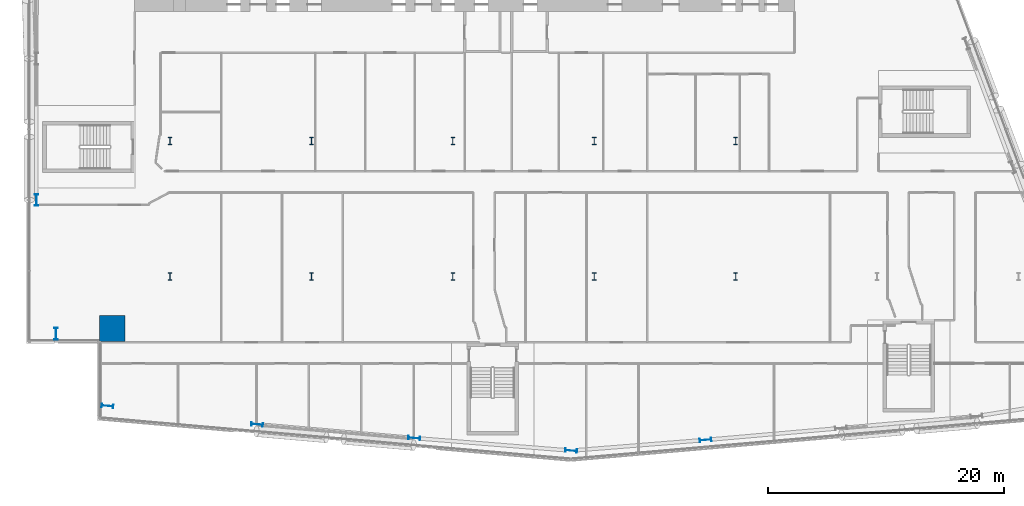
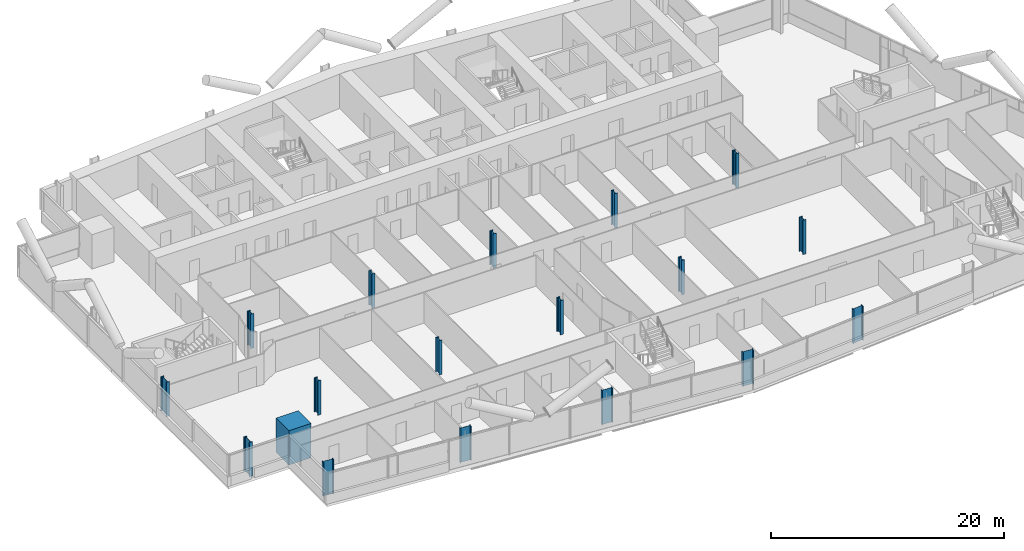
# One storey, part 1 of 27: 18 columns.
"""IFC4 building model written with IfcOpenShell, lengths in metres."""

from ifc_helpers import new_model, si_unit, direction, frame, origin, origin_2d, place, context, subcontext, project, spatial, rectangle, i_section, extrude, material, material_profile, profile_set, type_object, element, save


model = new_model("IFC4")

# Units and contexts
model_context = context("Model", 3, precision=1e-05, world=origin(), true_north=direction((0.0, 1.0)))
body_context = subcontext(model_context, "Body", "Model", "MODEL_VIEW")
ifc_project = project(units=[si_unit("LENGTHUNIT", "METRE"), si_unit("AREAUNIT", "SQUARE_METRE"), si_unit("VOLUMEUNIT", "CUBIC_METRE"), si_unit("PLANEANGLEUNIT", "RADIAN"), si_unit("MASSUNIT", "GRAM", prefix="KILO")], contexts=[model_context])

# Site, building, storey
site_placement = place(None, origin())
site = spatial("IfcSite", under=ifc_project, at=site_placement, CompositionType="ELEMENT")
building_placement = place(site_placement, origin())
building = spatial("IfcBuilding", under=site, at=building_placement, Name="Wharfspan Tower", CompositionType="ELEMENT")
storey_placement = place(building_placement, frame((0.0, 0.0, 55.899902)))
storey = spatial("IfcBuildingStorey", under=building, at=storey_placement, Name="L10", CompositionType="ELEMENT", Elevation=55.899902)

# Columns
ifc_material_1 = material(Name="Steel S355J2", Category="steel")
ifc_material_profile_1 = material_profile(ifc_material_1, i_section(OverallWidth=0.302002, OverallDepth=1.008057, WebThickness=0.020996, FlangeThickness=0.040039, FilletRadius=0.030029, at=origin_2d()))
ifc_profile_set_1 = profile_set([ifc_material_profile_1], Name="Steel S355J2")
column_type_1 = type_object("IfcColumnType", Name="Column HEM 1000", PredefinedType="COLUMN", material=ifc_profile_set_1)
for number, where, z_axis, x_axis, name in (
    (1, (6.694336, 0.528564, 0.0), (0.0, 0.0, 1.0), (-0.087156, -0.996198, 0.0), "Perimeter column PS1.1 L10"),
    (2, (19.390869, -1.033936, 0.0), (0.0, 0.0, 1.0), (-0.087156, -0.996198, 0.0), "Perimeter column PS1.2 L10"),
    (3, (32.724121, -2.200439, 0.0), (0.0, 0.0, 1.0), (-0.087156, -0.996198, 0.0), "Perimeter column PS1.3 L10"),
    (4, (46.04248, -3.268066, 0.0), (0.0, 0.0, 1.0), (-0.087156, -0.996198, 0.0), "Perimeter column PS1.4 L10"),
    (5, (57.442383, -2.36084, 0.0), (0.0, 0.0, 1.0), (0.087156, -0.996198, 0.0), "Perimeter column PS2.1 L10"),
    (6, (0.659912, 18.0, 0.0), (0.0, 0.0, 1.0), (-1.0, 0.0, 0.0), "Perimeter column PW.2 L10"),
    (7, (2.331787, 6.66748, 0.0), (0.0, 0.0, 1.0), (-1.0, 0.0, 0.0), "Perimeter column PW.3 L10"),
):
    element("IfcColumn", number, at=place(storey_placement, frame(where, z_axis=z_axis, x_axis=x_axis)), inside=storey, type_object=column_type_1, Name=name, PredefinedType="COLUMN", context=body_context, shape_type="SweptSolid", body=[
        extrude(i_section(OverallWidth=0.302002, OverallDepth=1.008057, WebThickness=0.020996, FlangeThickness=0.040039, FilletRadius=0.030029, at=origin_2d()), origin(), (0.0, 0.0, 1.0), 3.600098),
    ])
ifc_material_profile_2 = material_profile(ifc_material_1, i_section(OverallWidth=0.304932, OverallDepth=0.620117, WebThickness=0.020996, FlangeThickness=0.040039, FilletRadius=0.0271, at=origin_2d()))
ifc_profile_set_2 = profile_set([ifc_material_profile_2], Name="Steel S355J2")
column_type_2 = type_object("IfcColumnType", Name="Column HEM 600", PredefinedType="COLUMN", material=ifc_profile_set_2)
for number, where, z_axis, x_axis, name in (
    (8, (12.0, 11.5, 0.0), (0.0, 0.0, 1.0), (1.0, 0.0, 0.0), "Interior column I.1.1 L10"),
    (9, (24.0, 11.5, 0.0), (0.0, 0.0, 1.0), (1.0, 0.0, 0.0), "Interior column I.1.2 L10"),
    (10, (36.0, 11.5, 0.0), (0.0, 0.0, 1.0), (1.0, 0.0, 0.0), "Interior column I.1.3 L10"),
    (11, (48.0, 11.5, 0.0), (0.0, 0.0, 1.0), (1.0, 0.0, 0.0), "Interior column I.1.4 L10"),
    (12, (60.0, 11.5, 0.0), (0.0, 0.0, 1.0), (1.0, 0.0, 0.0), "Interior column I.1.5 L10"),
    (13, (12.0, 23.0, 0.0), (0.0, 0.0, 1.0), (1.0, 0.0, 0.0), "Interior column I.2.1 L10"),
    (14, (24.0, 23.0, 0.0), (0.0, 0.0, 1.0), (1.0, 0.0, 0.0), "Interior column I.2.2 L10"),
    (15, (36.0, 23.0, 0.0), (0.0, 0.0, 1.0), (1.0, 0.0, 0.0), "Interior column I.2.3 L10"),
    (16, (48.0, 23.0, 0.0), (0.0, 0.0, 1.0), (1.0, 0.0, 0.0), "Interior column I.2.4 L10"),
    (17, (60.0, 23.0, 0.0), (0.0, 0.0, 1.0), (1.0, 0.0, 0.0), "Interior column I.2.5 L10"),
):
    element("IfcColumn", number, at=place(storey_placement, frame(where, z_axis=z_axis, x_axis=x_axis)), inside=storey, type_object=column_type_2, Name=name, PredefinedType="COLUMN", context=body_context, shape_type="SweptSolid", body=[
        extrude(i_section(OverallWidth=0.304932, OverallDepth=0.620117, WebThickness=0.020996, FlangeThickness=0.040039, FilletRadius=0.0271, at=origin_2d()), origin(), (0.0, 0.0, 1.0), 3.600098),
    ])
ifc_material_2 = material(Name="Concrete C70/85", Category="concrete")
ifc_material_profile_3 = material_profile(ifc_material_2, rectangle(XDim=2.199951, YDim=2.199951, at=origin_2d()))
ifc_profile_set_3 = profile_set([ifc_material_profile_3], Name="Concrete C70/85")
column_type_3 = type_object("IfcColumnType", Name="Mega column 2200 C70/85", PredefinedType="COLUMN", material=ifc_profile_set_3)
column_placement = place(storey_placement, frame((7.100098, 7.100098, 0.0), z_axis=(0.0, 0.0, 1.0), x_axis=(1.0, 0.0, 0.0)))
element("IfcColumn", 18, at=column_placement, inside=storey, type_object=column_type_3, Name="Mega column MC1 L10", PredefinedType="COLUMN", context=body_context, shape_type="SweptSolid", body=[
    extrude(rectangle(XDim=2.199951, YDim=2.199951, at=origin_2d()), origin(), (0.0, 0.0, 1.0), 3.600098),
])

save(model, "model.ifc")
